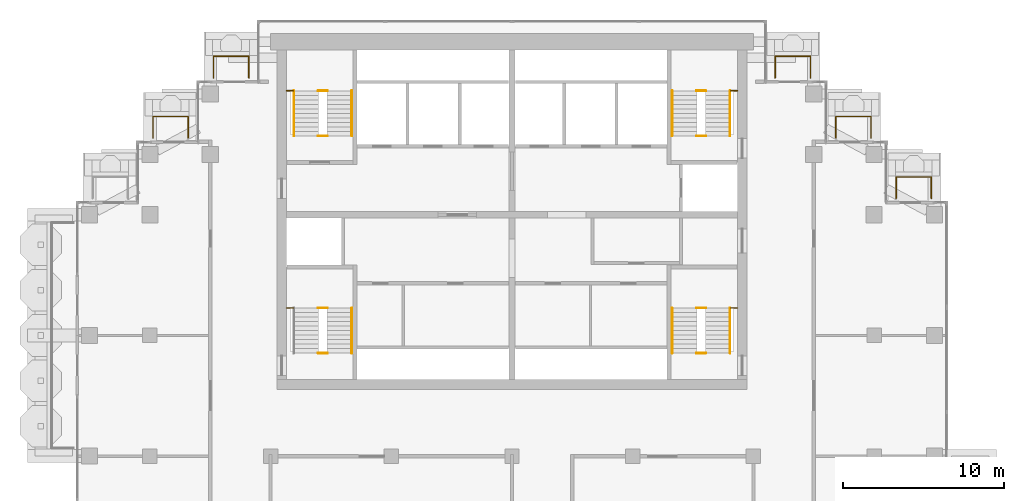
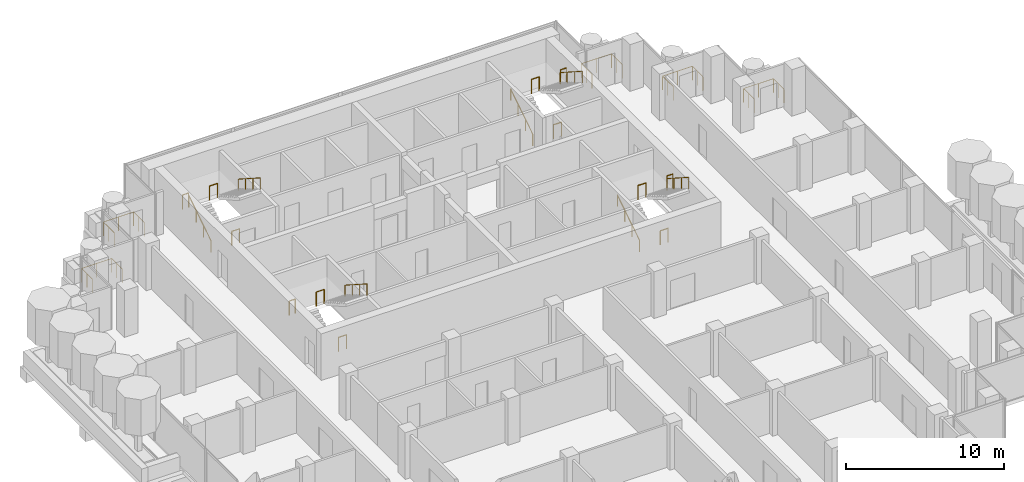
# One storey, part 17 of 18: 24 railings.
"""IFC4 building model written with IfcOpenShell, lengths in metres."""

from ifc_helpers import new_model, si_unit, direction, frame, origin, origin_2d, place, context, subcontext, project, spatial, circle, extrude, material, type_object, element, save


model = new_model("IFC4")

# Units and contexts
model_context = context("Model", 3, precision=1e-05, world=origin(), true_north=direction((0.0, 1.0)))
body_context = subcontext(model_context, "Body", "Model", "MODEL_VIEW")
ifc_project = project(units=[si_unit("LENGTHUNIT", "METRE"), si_unit("AREAUNIT", "SQUARE_METRE"), si_unit("VOLUMEUNIT", "CUBIC_METRE"), si_unit("PLANEANGLEUNIT", "RADIAN"), si_unit("MASSUNIT", "GRAM", prefix="KILO")], contexts=[model_context])

# Site, building, storey
site_placement = place(None, origin())
site = spatial("IfcSite", under=ifc_project, at=site_placement, CompositionType="ELEMENT")
building_placement = place(site_placement, origin())
building = spatial("IfcBuilding", under=site, at=building_placement, Name="Pilkhan Gate Tower", CompositionType="ELEMENT")
storey_placement = place(building_placement, frame((0.0, 0.0, 192.300048828125)))
storey = spatial("IfcBuildingStorey", under=building, at=storey_placement, Name="L49", CompositionType="ELEMENT", Elevation=192.300048828125)

# Railings
ifc_material_1 = material(Name="Pale anodised aluminium posts, laminated glass infill", Category="aluminium")
railing_type_1 = type_object("IfcRailingType", Name="Balcony guard G1", PredefinedType="BALUSTRADE", material=ifc_material_1)
for number, where, name in (
    (1, (56.449951171875, 91.0, 0.0), "Balcony guard L49 N"),
    (2, (91.35009765625, 91.0, 0.0), "Balcony guard L49 N"),
):
    element("IfcRailing", number, at=place(storey_placement, frame(where)), inside=storey, type_object=railing_type_1, Name=name, PredefinedType="BALUSTRADE", context=body_context, shape_type="SweptSolid", body=[
        extrude(circle(Radius=0.02392578125, at=origin_2d()), frame((0.0, 0.0, 1.076171875), z_axis=(0.0, 1.0, 0.0), x_axis=(-1.0, 0.0, 0.0)), (0.0, 0.0, 1.0), 1.35009765625),
        extrude(circle(Radius=0.02392578125, at=origin_2d()), frame((0.0, 1.35009765625, 1.076171875), z_axis=(1.0, 0.0, 0.0), x_axis=(0.0, 1.0, 0.0)), (0.0, 0.0, 1.0), 2.199951171875),
        extrude(circle(Radius=0.02392578125, at=origin_2d()), frame((2.199951171875, 1.35009765625, 1.076171875), z_axis=(0.0, -1.0, 0.0), x_axis=(1.0, 0.0, 0.0)), (0.0, 0.0, 1.0), 1.35009765625),
        extrude(circle(Radius=0.02099609375, at=origin_2d()), origin(), (0.0, 0.0, 1.0), 1.052001953125),
        extrude(circle(Radius=0.02099609375, at=origin_2d()), frame((0.0, 0.675048828125, 0.0)), (0.0, 0.0, 1.0), 1.052001953125),
        extrude(circle(Radius=0.02099609375, at=origin_2d()), frame((0.0, 1.35009765625, 0.0)), (0.0, 0.0, 1.0), 1.052001953125),
        extrude(circle(Radius=0.02099609375, at=origin_2d()), frame((1.10009765625, 1.35009765625, 0.0)), (0.0, 0.0, 1.0), 1.052001953125),
        extrude(circle(Radius=0.02099609375, at=origin_2d()), frame((2.199951171875, 1.35009765625, 0.0)), (0.0, 0.0, 1.0), 1.052001953125),
        extrude(circle(Radius=0.02099609375, at=origin_2d()), frame((2.199951171875, 0.675048828125, 0.0)), (0.0, 0.0, 1.0), 1.052001953125),
        extrude(circle(Radius=0.02099609375, at=origin_2d()), frame((2.199951171875, 0.0, 0.0)), (0.0, 0.0, 1.0), 1.052001953125),
    ])
for number, where, name in (
    (3, (52.699951171875, 87.27001953125, 0.0), "Balcony guard L49 N"),
    (4, (95.1201171875, 87.27001953125, 0.0), "Balcony guard L49 N"),
    (5, (98.8701171875, 83.52001953125, 0.0), "Balcony guard L49 N"),
):
    element("IfcRailing", number, at=place(storey_placement, frame(where)), inside=storey, type_object=railing_type_1, Name=name, PredefinedType="BALUSTRADE", context=body_context, shape_type="SweptSolid", body=[
        extrude(circle(Radius=0.02392578125, at=origin_2d()), frame((0.0, 0.0, 1.076171875), z_axis=(0.0, 1.0, 0.0), x_axis=(-1.0, 0.0, 0.0)), (0.0, 0.0, 1.0), 1.330078125),
        extrude(circle(Radius=0.02392578125, at=origin_2d()), frame((0.0, 1.330078125, 1.076171875), z_axis=(1.0, 0.0, 0.0), x_axis=(0.0, 1.0, 0.0)), (0.0, 0.0, 1.0), 2.179931640625),
        extrude(circle(Radius=0.02392578125, at=origin_2d()), frame((2.179931640625, 1.330078125, 1.076171875), z_axis=(0.0, -1.0, 0.0), x_axis=(1.0, 0.0, 0.0)), (0.0, 0.0, 1.0), 1.330078125),
        extrude(circle(Radius=0.02099609375, at=origin_2d()), origin(), (0.0, 0.0, 1.0), 1.052001953125),
        extrude(circle(Radius=0.02099609375, at=origin_2d()), frame((0.0, 0.6650390625, 0.0)), (0.0, 0.0, 1.0), 1.052001953125),
        extrude(circle(Radius=0.02099609375, at=origin_2d()), frame((0.0, 1.330078125, 0.0)), (0.0, 0.0, 1.0), 1.052001953125),
        extrude(circle(Radius=0.02099609375, at=origin_2d()), frame((1.08984375, 1.330078125, 0.0)), (0.0, 0.0, 1.0), 1.052001953125),
        extrude(circle(Radius=0.02099609375, at=origin_2d()), frame((2.179931640625, 1.330078125, 0.0)), (0.0, 0.0, 1.0), 1.052001953125),
        extrude(circle(Radius=0.02099609375, at=origin_2d()), frame((2.179931640625, 0.6650390625, 0.0)), (0.0, 0.0, 1.0), 1.052001953125),
        extrude(circle(Radius=0.02099609375, at=origin_2d()), frame((2.179931640625, 0.0, 0.0)), (0.0, 0.0, 1.0), 1.052001953125),
    ])
ifc_material_2 = material(Name="Black powder-coated steel tube", Category="steel")
railing_type_2 = type_object("IfcRailingType", Name="Stair handrail HR1", PredefinedType="HANDRAIL", material=ifc_material_2)
railing_1_placement = place(storey_placement, frame((84.949951171875, 73.89990234375, 0.0)))
element("IfcRailing", 6, at=railing_1_placement, inside=storey, type_object=railing_type_2, Name="Stair ST1 handrail L49", PredefinedType="HANDRAIL", context=body_context, shape_type="SweptSolid", body=[
    extrude(circle(Radius=0.02392578125, at=origin_2d()), frame((0.0, 0.0, 0.8759765625), z_axis=(0.0, 0.841176092368, 0.540761298198), x_axis=(-1.0, 0.0, 0.0)), (0.0, 0.0, 1.0), 3.32861328125),
    extrude(circle(Radius=0.02099609375, at=origin_2d()), origin(), (0.0, 0.0, 1.0), 0.851806640625),
    extrude(circle(Radius=0.02099609375, at=origin_2d()), frame((0.0, 0.933349609375, 0.60009765625)), (0.0, 0.0, 1.0), 0.851806640625),
    extrude(circle(Radius=0.02099609375, at=origin_2d()), frame((0.0, 1.86669921875, 1.199951171875)), (0.0, 0.0, 1.0), 0.851806640625),
    extrude(circle(Radius=0.02099609375, at=origin_2d()), frame((0.0, 2.800048828125, 1.800048828125)), (0.0, 0.0, 1.0), 0.851806640625),
])
for number, where, name in (
    (7, (88.550048828125, 76.699951171875, 1.800048828125), "Stair ST1 handrail L49"),
    (8, (65.050048828125, 76.699951171875, 1.800048828125), "Stair ST2 handrail L49"),
):
    element("IfcRailing", number, at=place(storey_placement, frame(where)), inside=storey, type_object=railing_type_2, Name=name, PredefinedType="HANDRAIL", context=body_context, shape_type="SweptSolid", body=[
        extrude(circle(Radius=0.02392578125, at=origin_2d()), frame((0.0, 0.0, 0.8759765625), z_axis=(0.0, -0.841209454229, 0.540709398952), x_axis=(1.0, 0.0, 0.0)), (0.0, 0.0, 1.0), 3.32861328125),
        extrude(circle(Radius=0.02099609375, at=origin_2d()), origin(), (0.0, 0.0, 1.0), 0.851806640625),
        extrude(circle(Radius=0.02099609375, at=origin_2d()), frame((0.0, -0.933349609375, 0.599853515625)), (0.0, 0.0, 1.0), 0.851806640625),
        extrude(circle(Radius=0.02099609375, at=origin_2d()), frame((0.0, -1.86669921875, 1.199951171875)), (0.0, 0.0, 1.0), 0.851806640625),
        extrude(circle(Radius=0.02099609375, at=origin_2d()), frame((0.0, -2.800048828125, 1.7998046875)), (0.0, 0.0, 1.0), 0.851806640625),
    ])
railing_2_placement = place(storey_placement, frame((61.449951171875, 87.39990234375, 0.0)))
element("IfcRailing", 9, at=railing_2_placement, inside=storey, type_object=railing_type_2, Name="Stair ST3 handrail L49", PredefinedType="HANDRAIL", context=body_context, shape_type="SweptSolid", body=[
    extrude(circle(Radius=0.02392578125, at=origin_2d()), frame((0.0, 0.0, 0.8759765625), z_axis=(0.0, 0.841176092368, 0.540761298198), x_axis=(-1.0, 0.0, 0.0)), (0.0, 0.0, 1.0), 3.32861328125),
    extrude(circle(Radius=0.02099609375, at=origin_2d()), origin(), (0.0, 0.0, 1.0), 0.851806640625),
    extrude(circle(Radius=0.02099609375, at=origin_2d()), frame((0.0, 0.933349609375, 0.60009765625)), (0.0, 0.0, 1.0), 0.851806640625),
    extrude(circle(Radius=0.02099609375, at=origin_2d()), frame((0.0, 1.86669921875, 1.199951171875)), (0.0, 0.0, 1.0), 0.851806640625),
    extrude(circle(Radius=0.02099609375, at=origin_2d()), frame((0.0, 2.800048828125, 1.800048828125)), (0.0, 0.0, 1.0), 0.851806640625),
])
railing_3_placement = place(storey_placement, frame((65.050048828125, 90.199951171875, 1.800048828125)))
element("IfcRailing", 10, at=railing_3_placement, inside=storey, type_object=railing_type_2, Name="Stair ST3 handrail L49", PredefinedType="HANDRAIL", context=body_context, shape_type="SweptSolid", body=[
    extrude(circle(Radius=0.02392578125, at=origin_2d()), frame((0.0, 0.0, 0.8759765625), z_axis=(0.0, -0.841209454229, 0.540709398952), x_axis=(1.0, 0.0, 0.0)), (0.0, 0.0, 1.0), 3.32861328125),
    extrude(circle(Radius=0.02099609375, at=origin_2d()), origin(), (0.0, 0.0, 1.0), 0.851806640625),
    extrude(circle(Radius=0.02099609375, at=origin_2d()), frame((0.0, -0.933349609375, 0.599853515625)), (0.0, 0.0, 1.0), 0.851806640625),
    extrude(circle(Radius=0.02099609375, at=origin_2d()), frame((0.0, -1.86669921875, 1.199951171875)), (0.0, 0.0, 1.0), 0.851806640625),
    extrude(circle(Radius=0.02099609375, at=origin_2d()), frame((0.0, -2.800048828125, 1.7998046875)), (0.0, 0.0, 1.0), 0.851806640625),
])
railing_4_placement = place(storey_placement, frame((84.949951171875, 87.39990234375, 0.0)))
element("IfcRailing", 11, at=railing_4_placement, inside=storey, type_object=railing_type_2, Name="Stair ST4 handrail L49", PredefinedType="HANDRAIL", context=body_context, shape_type="SweptSolid", body=[
    extrude(circle(Radius=0.02392578125, at=origin_2d()), frame((0.0, 0.0, 0.8759765625), z_axis=(0.0, 0.841176092368, 0.540761298198), x_axis=(-1.0, 0.0, 0.0)), (0.0, 0.0, 1.0), 3.32861328125),
    extrude(circle(Radius=0.02099609375, at=origin_2d()), origin(), (0.0, 0.0, 1.0), 0.851806640625),
    extrude(circle(Radius=0.02099609375, at=origin_2d()), frame((0.0, 0.933349609375, 0.60009765625)), (0.0, 0.0, 1.0), 0.851806640625),
    extrude(circle(Radius=0.02099609375, at=origin_2d()), frame((0.0, 1.86669921875, 1.199951171875)), (0.0, 0.0, 1.0), 0.851806640625),
    extrude(circle(Radius=0.02099609375, at=origin_2d()), frame((0.0, 2.800048828125, 1.800048828125)), (0.0, 0.0, 1.0), 0.851806640625),
])
railing_5_placement = place(storey_placement, frame((88.550048828125, 90.199951171875, 1.800048828125)))
element("IfcRailing", 12, at=railing_5_placement, inside=storey, type_object=railing_type_2, Name="Stair ST4 handrail L49", PredefinedType="HANDRAIL", context=body_context, shape_type="SweptSolid", body=[
    extrude(circle(Radius=0.02392578125, at=origin_2d()), frame((0.0, 0.0, 0.8759765625), z_axis=(0.0, -0.841209454229, 0.540709398952), x_axis=(1.0, 0.0, 0.0)), (0.0, 0.0, 1.0), 3.32861328125),
    extrude(circle(Radius=0.02099609375, at=origin_2d()), origin(), (0.0, 0.0, 1.0), 0.851806640625),
    extrude(circle(Radius=0.02099609375, at=origin_2d()), frame((0.0, -0.933349609375, 0.599853515625)), (0.0, 0.0, 1.0), 0.851806640625),
    extrude(circle(Radius=0.02099609375, at=origin_2d()), frame((0.0, -1.86669921875, 1.199951171875)), (0.0, 0.0, 1.0), 0.851806640625),
    extrude(circle(Radius=0.02099609375, at=origin_2d()), frame((0.0, -2.800048828125, 1.7998046875)), (0.0, 0.0, 1.0), 0.851806640625),
])
ifc_material_3 = material(Name="Black powder-coated steel balusters", Category="steel")
railing_type_3 = type_object("IfcRailingType", Name="Stair well guard G3", PredefinedType="GUARDRAIL", material=ifc_material_3)
railing_6_placement = place(storey_placement, frame((88.580078125, 76.699951171875, 1.800048828125)))
element("IfcRailing", 13, at=railing_6_placement, inside=storey, type_object=railing_type_3, Name="Stair ST1 well guard L49", PredefinedType="GUARDRAIL", context=body_context, shape_type="SweptSolid", body=[
    extrude(circle(Radius=0.02392578125, at=origin_2d()), frame((0.0, 0.0, 1.076171875), z_axis=(1.0, 0.0, 0.0), x_axis=(0.0, 1.0, 0.0)), (0.0, 0.0, 1.0), 0.43994140625),
    extrude(circle(Radius=0.02099609375, at=origin_2d()), origin(), (0.0, 0.0, 1.0), 1.052001953125),
    extrude(circle(Radius=0.02099609375, at=origin_2d()), frame((0.43994140625, 0.0, 0.0)), (0.0, 0.0, 1.0), 1.052001953125),
])
for number, where, name in (
    (14, (86.4599609375, 73.89990234375, 0.0), "Stair ST1 well guard L49"),
    (15, (86.4599609375, 76.699951171875, 1.800048828125), "Stair ST1 well guard L49"),
):
    element("IfcRailing", number, at=place(storey_placement, frame(where)), inside=storey, type_object=railing_type_3, Name=name, PredefinedType="GUARDRAIL", context=body_context, shape_type="SweptSolid", body=[
        extrude(circle(Radius=0.02392578125, at=origin_2d()), frame((0.0, 0.0, 1.076171875), z_axis=(1.0, 0.0, 0.0), x_axis=(0.0, 1.0, 0.0)), (0.0, 0.0, 1.0), 0.580078125),
        extrude(circle(Radius=0.02099609375, at=origin_2d()), origin(), (0.0, 0.0, 1.0), 1.052001953125),
        extrude(circle(Radius=0.02099609375, at=origin_2d()), frame((0.580078125, 0.0, 0.0)), (0.0, 0.0, 1.0), 1.052001953125),
    ])
railing_7_placement = place(storey_placement, frame((60.97998046875, 76.699951171875, 1.800048828125)))
element("IfcRailing", 16, at=railing_7_placement, inside=storey, type_object=railing_type_3, Name="Stair ST2 well guard L49", PredefinedType="GUARDRAIL", context=body_context, shape_type="SweptSolid", body=[
    extrude(circle(Radius=0.02392578125, at=origin_2d()), frame((0.0, 0.0, 1.076171875), z_axis=(1.0, 0.0, 0.0), x_axis=(0.0, 1.0, 0.0)), (0.0, 0.0, 1.0), 0.43994140625),
    extrude(circle(Radius=0.02099609375, at=origin_2d()), origin(), (0.0, 0.0, 1.0), 1.052001953125),
    extrude(circle(Radius=0.02099609375, at=origin_2d()), frame((0.43994140625, 0.0, 0.0)), (0.0, 0.0, 1.0), 1.052001953125),
])
for number, where, name in (
    (17, (62.9599609375, 73.89990234375, 0.0), "Stair ST2 well guard L49"),
    (18, (62.9599609375, 76.699951171875, 1.800048828125), "Stair ST2 well guard L49"),
):
    element("IfcRailing", number, at=place(storey_placement, frame(where)), inside=storey, type_object=railing_type_3, Name=name, PredefinedType="GUARDRAIL", context=body_context, shape_type="SweptSolid", body=[
        extrude(circle(Radius=0.02392578125, at=origin_2d()), frame((0.0, 0.0, 1.076171875), z_axis=(1.0, 0.0, 0.0), x_axis=(0.0, 1.0, 0.0)), (0.0, 0.0, 1.0), 0.580078125),
        extrude(circle(Radius=0.02099609375, at=origin_2d()), origin(), (0.0, 0.0, 1.0), 1.052001953125),
        extrude(circle(Radius=0.02099609375, at=origin_2d()), frame((0.580078125, 0.0, 0.0)), (0.0, 0.0, 1.0), 1.052001953125),
    ])
railing_8_placement = place(storey_placement, frame((60.97998046875, 90.199951171875, 1.800048828125)))
element("IfcRailing", 19, at=railing_8_placement, inside=storey, type_object=railing_type_3, Name="Stair ST3 well guard L49", PredefinedType="GUARDRAIL", context=body_context, shape_type="SweptSolid", body=[
    extrude(circle(Radius=0.02392578125, at=origin_2d()), frame((0.0, 0.0, 1.076171875), z_axis=(1.0, 0.0, 0.0), x_axis=(0.0, 1.0, 0.0)), (0.0, 0.0, 1.0), 0.43994140625),
    extrude(circle(Radius=0.02099609375, at=origin_2d()), origin(), (0.0, 0.0, 1.0), 1.052001953125),
    extrude(circle(Radius=0.02099609375, at=origin_2d()), frame((0.43994140625, 0.0, 0.0)), (0.0, 0.0, 1.0), 1.052001953125),
])
for number, where, name in (
    (20, (62.9599609375, 87.39990234375, 0.0), "Stair ST3 well guard L49"),
    (21, (62.9599609375, 90.199951171875, 1.800048828125), "Stair ST3 well guard L49"),
):
    element("IfcRailing", number, at=place(storey_placement, frame(where)), inside=storey, type_object=railing_type_3, Name=name, PredefinedType="GUARDRAIL", context=body_context, shape_type="SweptSolid", body=[
        extrude(circle(Radius=0.02392578125, at=origin_2d()), frame((0.0, 0.0, 1.076171875), z_axis=(1.0, 0.0, 0.0), x_axis=(0.0, 1.0, 0.0)), (0.0, 0.0, 1.0), 0.580078125),
        extrude(circle(Radius=0.02099609375, at=origin_2d()), origin(), (0.0, 0.0, 1.0), 1.052001953125),
        extrude(circle(Radius=0.02099609375, at=origin_2d()), frame((0.580078125, 0.0, 0.0)), (0.0, 0.0, 1.0), 1.052001953125),
    ])
railing_9_placement = place(storey_placement, frame((88.580078125, 90.199951171875, 1.800048828125)))
element("IfcRailing", 22, at=railing_9_placement, inside=storey, type_object=railing_type_3, Name="Stair ST4 well guard L49", PredefinedType="GUARDRAIL", context=body_context, shape_type="SweptSolid", body=[
    extrude(circle(Radius=0.02392578125, at=origin_2d()), frame((0.0, 0.0, 1.076171875), z_axis=(1.0, 0.0, 0.0), x_axis=(0.0, 1.0, 0.0)), (0.0, 0.0, 1.0), 0.43994140625),
    extrude(circle(Radius=0.02099609375, at=origin_2d()), origin(), (0.0, 0.0, 1.0), 1.052001953125),
    extrude(circle(Radius=0.02099609375, at=origin_2d()), frame((0.43994140625, 0.0, 0.0)), (0.0, 0.0, 1.0), 1.052001953125),
])
for number, where, name in (
    (23, (86.4599609375, 87.39990234375, 0.0), "Stair ST4 well guard L49"),
    (24, (86.4599609375, 90.199951171875, 1.800048828125), "Stair ST4 well guard L49"),
):
    element("IfcRailing", number, at=place(storey_placement, frame(where)), inside=storey, type_object=railing_type_3, Name=name, PredefinedType="GUARDRAIL", context=body_context, shape_type="SweptSolid", body=[
        extrude(circle(Radius=0.02392578125, at=origin_2d()), frame((0.0, 0.0, 1.076171875), z_axis=(1.0, 0.0, 0.0), x_axis=(0.0, 1.0, 0.0)), (0.0, 0.0, 1.0), 0.580078125),
        extrude(circle(Radius=0.02099609375, at=origin_2d()), origin(), (0.0, 0.0, 1.0), 1.052001953125),
        extrude(circle(Radius=0.02099609375, at=origin_2d()), frame((0.580078125, 0.0, 0.0)), (0.0, 0.0, 1.0), 1.052001953125),
    ])

save(model, "model.ifc")
